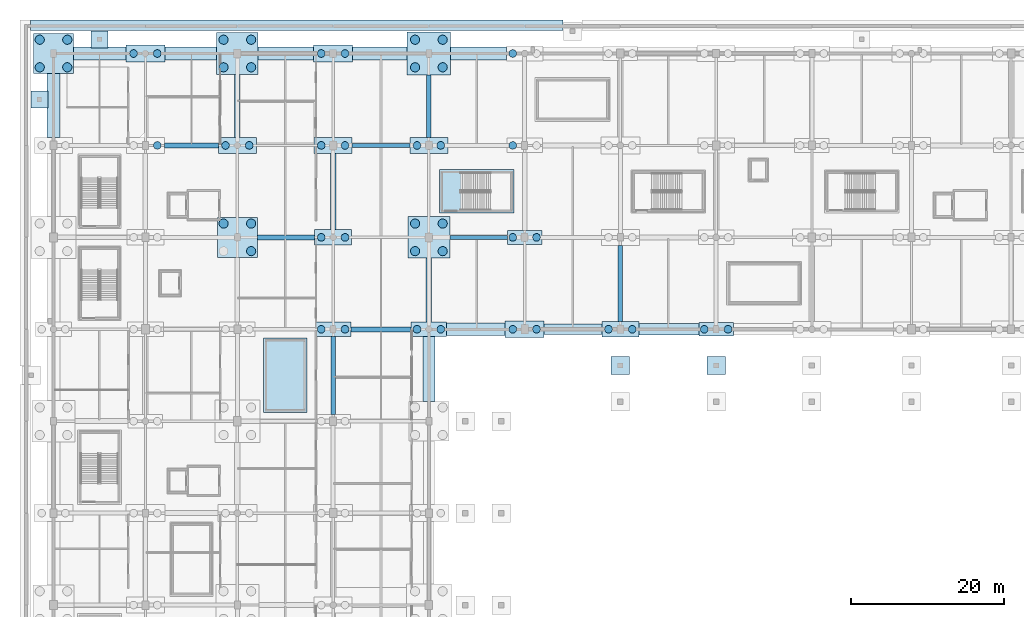
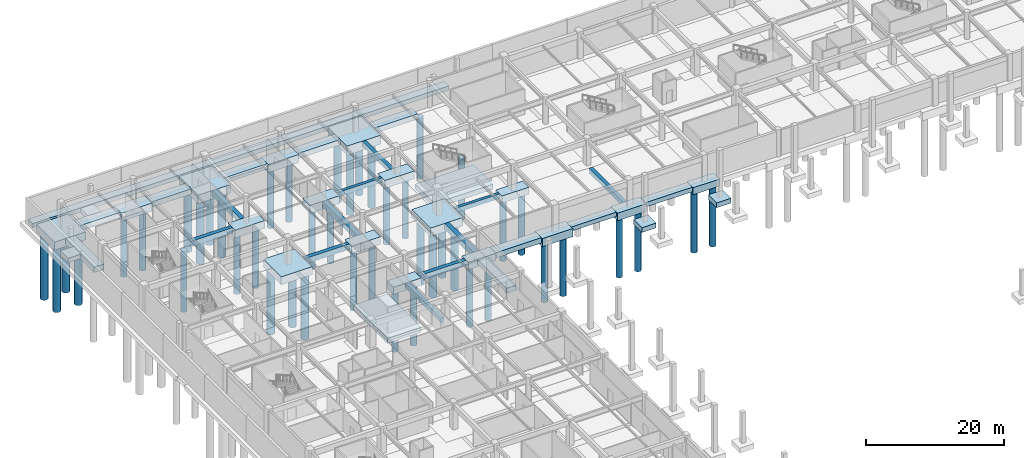
# One storey, part 8 of 56: 46 piles, 45 footings.
"""IFC4 building model written with IfcOpenShell, lengths in metres."""

from ifc_helpers import new_model, si_unit, direction, frame, origin, origin_2d, place, context, subcontext, project, spatial, polyline, rectangle, circle, outline, extrude, material, material_profile, profile_set, type_object, element, save


model = new_model("IFC4")

# Units and contexts
model_context = context("Model", 3, precision=1e-05, world=origin(), true_north=direction((0.0, 1.0)))
body_context = subcontext(model_context, "Body", "Model", "MODEL_VIEW")
ifc_project = project(units=[si_unit("LENGTHUNIT", "METRE"), si_unit("AREAUNIT", "SQUARE_METRE"), si_unit("VOLUMEUNIT", "CUBIC_METRE"), si_unit("PLANEANGLEUNIT", "RADIAN"), si_unit("MASSUNIT", "GRAM", prefix="KILO")], contexts=[model_context])

# Site, building, storey
site_placement = place(None, origin())
site = spatial("IfcSite", under=ifc_project, at=site_placement, CompositionType="ELEMENT")
building_placement = place(site_placement, origin())
building = spatial("IfcBuilding", under=site, at=building_placement, Name="Kazenohara Klinker Stadium", CompositionType="ELEMENT")
storey_placement = place(building_placement, frame((0.0, 0.0, -4.800048828125)))
storey = spatial("IfcBuildingStorey", under=building, at=storey_placement, Name="B01", CompositionType="ELEMENT", Elevation=-4.800048828125)

# Footings
ifc_material = material(Name="Concrete C35/45", Category="concrete")
footing_type_1 = type_object("IfcFootingType", Name="CAP-PC01", PredefinedType="PILE_CAP", material=ifc_material)
for number, where, z_axis, x_axis, name in (
    (1, (61.5, 144.0, -1.25), (0.0, 0.0, 1.0), (1.0, 0.0, 0.0), "Pile cap PC01 at 6/N"),
    (2, (86.5, 132.0, -1.25), (0.0, 0.0, 1.0), (1.0, 0.0, 0.0), "Pile cap PC01 at 8/M"),
):
    element("IfcFooting", number, at=place(storey_placement, frame(where, z_axis=z_axis, x_axis=x_axis)), inside=storey, type_object=footing_type_1, Name=name, PredefinedType="PILE_CAP", context=body_context, shape_type="SweptSolid", body=[
        extrude(rectangle(XDim=4.5, YDim=1.800048828125, at=origin_2d()), origin(), (0.0, 0.0, 1.0), 1.25),
    ])
footing_type_2 = type_object("IfcFootingType", Name="CAP-PC02", PredefinedType="PILE_CAP", material=ifc_material)
for number, where, z_axis, x_axis, name in (
    (3, (36.5, 132.0, -1.2998046875), (0.0, 0.0, 1.0), (1.0, 0.0, 0.0), "Pile cap PC02 at 4/M"),
    (4, (49.0, 132.0, -1.2998046875), (0.0, 0.0, 1.0), (1.0, 0.0, 0.0), "Pile cap PC02 at 5/M"),
):
    element("IfcFooting", number, at=place(storey_placement, frame(where, z_axis=z_axis, x_axis=x_axis)), inside=storey, type_object=footing_type_2, Name=name, PredefinedType="PILE_CAP", context=body_context, shape_type="SweptSolid", body=[
        extrude(rectangle(XDim=4.64990234375, YDim=1.89990234375, at=origin_2d()), origin(), (0.0, 0.0, 1.0), 1.300048828125),
    ])
footing_type_3 = type_object("IfcFootingType", Name="CAP-PC03", PredefinedType="PILE_CAP", material=ifc_material)
for number, where, z_axis, x_axis, name in (
    (5, (36.5, 144.0, -1.35009765625), (0.0, 0.0, 1.0), (1.0, 0.0, 0.0), "Pile cap PC03 at 4/N"),
    (6, (74.0, 132.0, -1.35009765625), (0.0, 0.0, 1.0), (1.0, 0.0, 0.0), "Pile cap PC03 at 7/M"),
):
    element("IfcFooting", number, at=place(storey_placement, frame(where, z_axis=z_axis, x_axis=x_axis)), inside=storey, type_object=footing_type_3, Name=name, PredefinedType="PILE_CAP", context=body_context, shape_type="SweptSolid", body=[
        extrude(rectangle(XDim=4.800048828125, YDim=2.0, at=origin_2d()), origin(), (0.0, 0.0, 1.0), 1.35009765625),
    ])
footing_type_4 = type_object("IfcFootingType", Name="CAP-PC04", PredefinedType="PILE_CAP", material=ifc_material)
for number, where, z_axis, x_axis, name in (
    (7, (24.0, 156.0, -1.39990234375), (0.0, 0.0, 1.0), (1.0, 0.0, 0.0), "Pile cap PC04 at 3/P"),
    (8, (36.5, 156.0, -1.39990234375), (0.0, 0.0, 1.0), (1.0, 0.0, 0.0), "Pile cap PC04 at 4/P"),
    (9, (49.0, 156.0, -1.39990234375), (0.0, 0.0, 1.0), (1.0, 0.0, 0.0), "Pile cap PC04 at 5/P"),
):
    element("IfcFooting", number, at=place(storey_placement, frame(where, z_axis=z_axis, x_axis=x_axis)), inside=storey, type_object=footing_type_4, Name=name, PredefinedType="PILE_CAP", context=body_context, shape_type="SweptSolid", body=[
        extrude(rectangle(XDim=4.949951171875, YDim=2.10009765625, at=origin_2d()), origin(), (0.0, 0.0, 1.0), 1.39990234375),
    ])
footing_type_5 = type_object("IfcFootingType", Name="CAP-PC05", PredefinedType="PILE_CAP", material=ifc_material)
for number, where, z_axis, x_axis, name in (
    (10, (12.0, 168.0, -1.44970703125), (0.0, 0.0, 1.0), (1.0, 0.0, 0.0), "Pile cap PC05 at 2/Q"),
    (11, (36.5, 168.0, -1.44970703125), (0.0, 0.0, 1.0), (1.0, 0.0, 0.0), "Pile cap PC05 at 4/Q"),
    (12, (61.5, 132.0, -1.44970703125), (0.0, 0.0, 1.0), (1.0, 0.0, 0.0), "Pile cap PC05 at 6/M"),
):
    element("IfcFooting", number, at=place(storey_placement, frame(where, z_axis=z_axis, x_axis=x_axis)), inside=storey, type_object=footing_type_5, Name=name, PredefinedType="PILE_CAP", context=body_context, shape_type="SweptSolid", body=[
        extrude(rectangle(XDim=5.10009765625, YDim=2.199951171875, at=origin_2d()), origin(), (0.0, 0.0, 1.0), 1.449951171875),
    ])
footing_type_6 = type_object("IfcFootingType", Name="CAP-PC06", PredefinedType="PILE_CAP", material=ifc_material)
for number, where, z_axis, x_axis, name in (
    (13, (0.0, 168.0, -1.39990234375), (0.0, 0.0, 1.0), (1.0, 0.0, 0.0), "Pile cap PC06 at 1/Q"),
    (14, (24.0, 144.0, -1.39990234375), (0.0, 0.0, 1.0), (1.0, 0.0, 0.0), "Pile cap PC06 at 3/N"),
):
    element("IfcFooting", number, at=place(storey_placement, frame(where, z_axis=z_axis, x_axis=x_axis)), inside=storey, type_object=footing_type_6, Name=name, PredefinedType="PILE_CAP", context=body_context, shape_type="SweptSolid", body=[
        extrude(rectangle(XDim=5.199951171875, YDim=5.199951171875, at=origin_2d()), origin(), (0.0, 0.0, 1.0), 1.39990234375),
    ])
footing_type_7 = type_object("IfcFootingType", Name="CAP-PC08", PredefinedType="PILE_CAP", material=ifc_material)
for number, where, z_axis, x_axis, name in (
    (15, (24.0, 168.0, -1.5), (0.0, 0.0, 1.0), (1.0, 0.0, 0.0), "Pile cap PC08 at 3/Q"),
    (16, (49.0, 144.0, -1.5), (0.0, 0.0, 1.0), (1.0, 0.0, 0.0), "Pile cap PC08 at 5/N"),
):
    element("IfcFooting", number, at=place(storey_placement, frame(where, z_axis=z_axis, x_axis=x_axis)), inside=storey, type_object=footing_type_7, Name=name, PredefinedType="PILE_CAP", context=body_context, shape_type="SweptSolid", body=[
        extrude(rectangle(XDim=5.449951171875, YDim=5.449951171875, at=origin_2d()), origin(), (0.0, 0.0, 1.0), 1.5),
    ])
footing_type_8 = type_object("IfcFootingType", Name="CAP-PC10", PredefinedType="PILE_CAP", material=ifc_material)
footing_1_placement = place(storey_placement, frame((49.0, 168.0, -1.60009765625), z_axis=(0.0, 0.0, 1.0), x_axis=(1.0, 0.0, 0.0)))
element("IfcFooting", 17, at=footing_1_placement, inside=storey, type_object=footing_type_8, Name="Pile cap PC10 at 5/Q", PredefinedType="PILE_CAP", context=body_context, shape_type="SweptSolid", body=[
    extrude(rectangle(XDim=5.699951171875, YDim=5.60009765625, at=origin_2d()), origin(), (0.0, 0.0, 1.0), 1.60009765625),
])
footing_type_9 = type_object("IfcFootingType", Name="GBEAM-GB01", PredefinedType="FOOTING_BEAM", material=ifc_material)
footing_2_placement = place(storey_placement, frame((0.0, 0.0, -0.800048828125)))
element("IfcFooting", 18, at=footing_2_placement, inside=storey, type_object=footing_type_9, Name="Foundation tie beam GB01 4-5/P", PredefinedType="FOOTING_BEAM", context=body_context, shape_type="SweptSolid", body=[
    extrude(outline(polyline([(38.97509765625, 155.75), (46.52490234375, 155.75), (46.52490234375, 156.25), (38.97509765625, 156.25), (38.97509765625, 155.75)])), origin(), (0.0, 0.0, 1.0), 0.800048828125),
])
footing_3_placement = place(storey_placement, frame((0.0, 0.0, -0.800048828125)))
element("IfcFooting", 19, at=footing_3_placement, inside=storey, type_object=footing_type_9, Name="Foundation tie beam GB01 5-6/N", PredefinedType="FOOTING_BEAM", context=body_context, shape_type="SweptSolid", body=[
    extrude(outline(polyline([(51.72509765625, 143.75), (59.25, 143.75), (59.25, 144.25), (51.72509765625, 144.25), (51.72509765625, 143.75)])), origin(), (0.0, 0.0, 1.0), 0.800048828125),
])
footing_type_10 = type_object("IfcFootingType", Name="GBEAM-GB02", PredefinedType="FOOTING_BEAM", material=ifc_material)
footing_4_placement = place(storey_placement, frame((0.0, 0.0, -0.8798828125)))
element("IfcFooting", 20, at=footing_4_placement, inside=storey, type_object=footing_type_10, Name="Foundation tie beam GB02 4/L-M", PredefinedType="FOOTING_BEAM", context=body_context, shape_type="SweptSolid", body=[
    extrude(outline(polyline([(36.2099609375, 120.89990234375), (36.7900390625, 120.89990234375), (36.7900390625, 131.050048828125), (36.2099609375, 131.050048828125), (36.2099609375, 120.89990234375)])), origin(), (0.0, 0.0, 1.0), 0.8798828125),
])
footing_5_placement = place(storey_placement, frame((0.0, 0.0, -0.8798828125)))
element("IfcFooting", 21, at=footing_5_placement, inside=storey, type_object=footing_type_10, Name="Foundation tie beam GB02 5/P-Q", PredefinedType="FOOTING_BEAM", context=body_context, shape_type="SweptSolid", body=[
    extrude(outline(polyline([(48.7099609375, 157.050048828125), (49.2900390625, 157.050048828125), (49.2900390625, 165.199951171875), (48.7099609375, 165.199951171875), (48.7099609375, 157.050048828125)])), origin(), (0.0, 0.0, 1.0), 0.8798828125),
])
footing_6_placement = place(storey_placement, frame((0.0, 0.0, -0.8798828125)))
element("IfcFooting", 22, at=footing_6_placement, inside=storey, type_object=footing_type_10, Name="Foundation tie beam GB02 7/M-N", PredefinedType="FOOTING_BEAM", context=body_context, shape_type="SweptSolid", body=[
    extrude(outline(polyline([(73.7099609375, 133.0), (74.2900390625, 133.0), (74.2900390625, 142.949951171875), (73.7099609375, 142.949951171875), (73.7099609375, 133.0)])), origin(), (0.0, 0.0, 1.0), 0.8798828125),
])
footing_type_11 = type_object("IfcFootingType", Name="GBEAM-GB03", PredefinedType="FOOTING_BEAM", material=ifc_material)
footing_7_placement = place(storey_placement, frame((0.0, 0.0, -0.9599609375)))
element("IfcFooting", 23, at=footing_7_placement, inside=storey, type_object=footing_type_11, Name="Foundation tie beam GB03 2-3/P", PredefinedType="FOOTING_BEAM", context=body_context, shape_type="SweptSolid", body=[
    extrude(outline(polyline([(14.47509765625, 155.675048828125), (21.52490234375, 155.675048828125), (21.52490234375, 156.324951171875), (14.47509765625, 156.324951171875), (14.47509765625, 155.675048828125)])), origin(), (0.0, 0.0, 1.0), 0.9599609375),
])
footing_8_placement = place(storey_placement, frame((0.0, 0.0, -0.9599609375)))
element("IfcFooting", 24, at=footing_8_placement, inside=storey, type_object=footing_type_11, Name="Foundation tie beam GB03 3-4/N", PredefinedType="FOOTING_BEAM", context=body_context, shape_type="SweptSolid", body=[
    extrude(outline(polyline([(26.60009765625, 143.675048828125), (34.10009765625, 143.675048828125), (34.10009765625, 144.324951171875), (26.60009765625, 144.324951171875), (26.60009765625, 143.675048828125)])), origin(), (0.0, 0.0, 1.0), 0.9599609375),
])
footing_9_placement = place(storey_placement, frame((0.0, 0.0, -0.9599609375)))
element("IfcFooting", 25, at=footing_9_placement, inside=storey, type_object=footing_type_11, Name="Foundation tie beam GB03 4-5/M", PredefinedType="FOOTING_BEAM", context=body_context, shape_type="SweptSolid", body=[
    extrude(outline(polyline([(38.824951171875, 131.675048828125), (46.675048828125, 131.675048828125), (46.675048828125, 132.324951171875), (38.824951171875, 132.324951171875), (38.824951171875, 131.675048828125)])), origin(), (0.0, 0.0, 1.0), 0.9599609375),
])
footing_type_12 = type_object("IfcFootingType", Name="GBEAM-GB04", PredefinedType="FOOTING_BEAM", material=ifc_material)
footing_10_placement = place(storey_placement, frame((0.0, 0.0, -1.050048828125)))
element("IfcFooting", 26, at=footing_10_placement, inside=storey, type_object=footing_type_12, Name="Foundation tie beam GB04 3/P-Q", PredefinedType="FOOTING_BEAM", context=body_context, shape_type="SweptSolid", body=[
    extrude(outline(polyline([(23.639892578125, 157.050048828125), (24.360107421875, 157.050048828125), (24.360107421875, 165.27490234375), (23.639892578125, 165.27490234375), (23.639892578125, 157.050048828125)])), origin(), (0.0, 0.0, 1.0), 1.050048828125),
])
footing_11_placement = place(storey_placement, frame((0.0, 0.0, -1.050048828125)))
element("IfcFooting", 27, at=footing_11_placement, inside=storey, type_object=footing_type_12, Name="Foundation tie beam GB04 4/N-P", PredefinedType="FOOTING_BEAM", context=body_context, shape_type="SweptSolid", body=[
    extrude(outline(polyline([(36.139892578125, 145.0), (36.860107421875, 145.0), (36.860107421875, 154.949951171875), (36.139892578125, 154.949951171875), (36.139892578125, 145.0)])), origin(), (0.0, 0.0, 1.0), 1.050048828125),
])
footing_12_placement = place(storey_placement, frame((0.0, 0.0, -1.050048828125)))
element("IfcFooting", 28, at=footing_12_placement, inside=storey, type_object=footing_type_12, Name="Foundation tie beam GB04 5/M-N", PredefinedType="FOOTING_BEAM", context=body_context, shape_type="SweptSolid", body=[
    extrude(outline(polyline([(48.639892578125, 132.949951171875), (49.360107421875, 132.949951171875), (49.360107421875, 141.27490234375), (48.639892578125, 141.27490234375), (48.639892578125, 132.949951171875)])), origin(), (0.0, 0.0, 1.0), 1.050048828125),
])
footing_type_13 = type_object("IfcFootingType", Name="PAD-PF01", PredefinedType="PAD_FOOTING", material=ifc_material)
for number, where, z_axis, x_axis, name in (
    (29, (-1.85009765625, 162.0, -0.7998046875), (0.0, 0.0, 1.0), (1.0, 0.0, 0.0), "Exterior plinth support pad PF01 PLAZA-WEST-3"),
    (30, (6.0, 169.85009765625, -0.7998046875), (0.0, 0.0, 1.0), (1.0, 0.0, 0.0), "Exterior plinth support pad PF01 PLAZA-NORTH-1"),
):
    element("IfcFooting", number, at=place(storey_placement, frame(where, z_axis=z_axis, x_axis=x_axis)), inside=storey, type_object=footing_type_13, Name=name, PredefinedType="PAD_FOOTING", context=body_context, shape_type="SweptSolid", body=[
        extrude(rectangle(XDim=2.199951171875, YDim=2.199951171875, at=origin_2d()), origin(), (0.0, 0.0, 1.0), 0.800048828125),
    ])
footing_type_14 = type_object("IfcFootingType", Name="PAD-PF02", PredefinedType="PAD_FOOTING", material=ifc_material)
for number, where, z_axis, x_axis, name in (
    (31, (74.0, 127.27490234375, -0.85009765625), (0.0, 0.0, 1.0), (1.0, 0.0, 0.0), "Bowl mid-raker pad PF02 N-7"),
    (32, (86.5, 127.27490234375, -0.85009765625), (0.0, 0.0, 1.0), (1.0, 0.0, 0.0), "Bowl mid-raker pad PF02 N-8"),
):
    element("IfcFooting", number, at=place(storey_placement, frame(where, z_axis=z_axis, x_axis=x_axis)), inside=storey, type_object=footing_type_14, Name=name, PredefinedType="PAD_FOOTING", context=body_context, shape_type="SweptSolid", body=[
        extrude(rectangle(XDim=2.39990234375, YDim=2.39990234375, at=origin_2d()), origin(), (0.0, 0.0, 1.0), 0.85009765625),
    ])
footing_type_15 = type_object("IfcFootingType", Name="PAD-PF04", PredefinedType="PAD_FOOTING", material=ifc_material)
footing_13_placement = place(storey_placement, frame((0.0, 0.0, -1.550048828125)))
element("IfcFooting", 33, at=footing_13_placement, inside=storey, type_object=footing_type_15, Name="Stairwell core foundation raft ST08", PredefinedType="PAD_FOOTING", context=body_context, shape_type="SweptSolid", body=[
    extrude(outline(polyline([(50.385009765625, 147.155029296875), (60.114990234375, 147.155029296875), (60.114990234375, 152.844970703125), (50.385009765625, 152.844970703125), (50.385009765625, 147.155029296875)])), origin(), (0.0, 0.0, 1.0), 0.900146484375),
])
footing_14_placement = place(storey_placement, frame((0.0, 0.0, -1.550048828125)))
element("IfcFooting", 34, at=footing_14_placement, inside=storey, type_object=footing_type_15, Name="Stairwell core foundation raft ST18", PredefinedType="PAD_FOOTING", context=body_context, shape_type="SweptSolid", body=[
    extrude(outline(polyline([(27.43505859375, 121.135009765625), (33.06494140625, 121.135009765625), (33.06494140625, 130.864990234375), (27.43505859375, 130.864990234375), (27.43505859375, 121.135009765625)])), origin(), (0.0, 0.0, 1.0), 0.900146484375),
])

# Piles
ifc_material_profile_1 = material_profile(ifc_material, circle(Radius=0.5, at=origin_2d()), Name="BORED-PILE-1000")
ifc_profile_set_1 = profile_set([ifc_material_profile_1], Name="Concrete C35/45")
pile_type_1 = type_object("IfcPileType", Name="PILE-P01-1000", PredefinedType="BORED", material=ifc_profile_set_1)
pile_1_placement = place(storey_placement, frame((13.550048828125, 156.0, -1.300048828125), z_axis=(0.0, 0.0, -1.0), x_axis=(1.0, 0.0, 0.0)))
element("IfcPile", 35, at=pile_1_placement, inside=storey, type_object=pile_type_1, Name="Bored pile P01-0113-2", PredefinedType="BORED", context=body_context, shape_type="SweptSolid", body=[
    extrude(circle(Radius=0.5, at=origin_2d()), origin(), (0.0, 0.0, 1.0), 10.699951171875),
])
for number, where, z_axis, x_axis, name in (
    (36, (10.449951171875, 168.0, -1.349853515625), (0.0, 0.0, -1.0), (1.0, 0.0, 0.0), "Bored pile P01-0114-1"),
    (37, (13.550048828125, 168.0, -1.349853515625), (0.0, 0.0, -1.0), (1.0, 0.0, 0.0), "Bored pile P01-0114-2"),
):
    element("IfcPile", number, at=place(storey_placement, frame(where, z_axis=z_axis, x_axis=x_axis)), inside=storey, type_object=pile_type_1, Name=name, PredefinedType="BORED", context=body_context, shape_type="SweptSolid", body=[
        extrude(circle(Radius=0.5, at=origin_2d()), origin(), (0.0, 0.0, 1.0), 10.64990234375),
    ])
for number, where, z_axis, x_axis, name in (
    (38, (22.449951171875, 156.0, -1.300048828125), (0.0, 0.0, -1.0), (1.0, 0.0, 0.0), "Bored pile P01-0213-1"),
    (39, (25.550048828125, 156.0, -1.300048828125), (0.0, 0.0, -1.0), (1.0, 0.0, 0.0), "Bored pile P01-0213-2"),
):
    element("IfcPile", number, at=place(storey_placement, frame(where, z_axis=z_axis, x_axis=x_axis)), inside=storey, type_object=pile_type_1, Name=name, PredefinedType="BORED", context=body_context, shape_type="SweptSolid", body=[
        extrude(circle(Radius=0.5, at=origin_2d()), origin(), (0.0, 0.0, 1.0), 10.699951171875),
    ])
for number, where, z_axis, x_axis, name in (
    (40, (34.949951171875, 132.0, -1.199951171875), (0.0, 0.0, -1.0), (1.0, 0.0, 0.0), "Bored pile P01-0311-1"),
    (41, (38.050048828125, 132.0, -1.199951171875), (0.0, 0.0, -1.0), (1.0, 0.0, 0.0), "Bored pile P01-0311-2"),
):
    element("IfcPile", number, at=place(storey_placement, frame(where, z_axis=z_axis, x_axis=x_axis)), inside=storey, type_object=pile_type_1, Name=name, PredefinedType="BORED", context=body_context, shape_type="SweptSolid", body=[
        extrude(circle(Radius=0.5, at=origin_2d()), origin(), (0.0, 0.0, 1.0), 10.800048828125),
    ])
for number, where, z_axis, x_axis, name in (
    (42, (34.949951171875, 144.0, -1.25), (0.0, 0.0, -1.0), (1.0, 0.0, 0.0), "Bored pile P01-0312-1"),
    (43, (38.050048828125, 144.0, -1.25), (0.0, 0.0, -1.0), (1.0, 0.0, 0.0), "Bored pile P01-0312-2"),
):
    element("IfcPile", number, at=place(storey_placement, frame(where, z_axis=z_axis, x_axis=x_axis)), inside=storey, type_object=pile_type_1, Name=name, PredefinedType="BORED", context=body_context, shape_type="SweptSolid", body=[
        extrude(circle(Radius=0.5, at=origin_2d()), origin(), (0.0, 0.0, 1.0), 10.75),
    ])
for number, where, z_axis, x_axis, name in (
    (44, (34.949951171875, 156.0, -1.300048828125), (0.0, 0.0, -1.0), (1.0, 0.0, 0.0), "Bored pile P01-0313-1"),
    (45, (38.050048828125, 156.0, -1.300048828125), (0.0, 0.0, -1.0), (1.0, 0.0, 0.0), "Bored pile P01-0313-2"),
):
    element("IfcPile", number, at=place(storey_placement, frame(where, z_axis=z_axis, x_axis=x_axis)), inside=storey, type_object=pile_type_1, Name=name, PredefinedType="BORED", context=body_context, shape_type="SweptSolid", body=[
        extrude(circle(Radius=0.5, at=origin_2d()), origin(), (0.0, 0.0, 1.0), 10.699951171875),
    ])
for number, where, z_axis, x_axis, name in (
    (46, (34.949951171875, 168.0, -1.349853515625), (0.0, 0.0, -1.0), (1.0, 0.0, 0.0), "Bored pile P01-0314-1"),
    (47, (38.050048828125, 168.0, -1.349853515625), (0.0, 0.0, -1.0), (1.0, 0.0, 0.0), "Bored pile P01-0314-2"),
):
    element("IfcPile", number, at=place(storey_placement, frame(where, z_axis=z_axis, x_axis=x_axis)), inside=storey, type_object=pile_type_1, Name=name, PredefinedType="BORED", context=body_context, shape_type="SweptSolid", body=[
        extrude(circle(Radius=0.5, at=origin_2d()), origin(), (0.0, 0.0, 1.0), 10.64990234375),
    ])
for number, where, z_axis, x_axis, name in (
    (48, (47.449951171875, 132.0, -1.199951171875), (0.0, 0.0, -1.0), (1.0, 0.0, 0.0), "Bored pile P01-0411-1"),
    (49, (50.550048828125, 132.0, -1.199951171875), (0.0, 0.0, -1.0), (1.0, 0.0, 0.0), "Bored pile P01-0411-2"),
):
    element("IfcPile", number, at=place(storey_placement, frame(where, z_axis=z_axis, x_axis=x_axis)), inside=storey, type_object=pile_type_1, Name=name, PredefinedType="BORED", context=body_context, shape_type="SweptSolid", body=[
        extrude(circle(Radius=0.5, at=origin_2d()), origin(), (0.0, 0.0, 1.0), 10.800048828125),
    ])
for number, where, z_axis, x_axis, name in (
    (50, (47.449951171875, 156.0, -1.300048828125), (0.0, 0.0, -1.0), (1.0, 0.0, 0.0), "Bored pile P01-0413-1"),
    (51, (50.550048828125, 156.0, -1.300048828125), (0.0, 0.0, -1.0), (1.0, 0.0, 0.0), "Bored pile P01-0413-2"),
):
    element("IfcPile", number, at=place(storey_placement, frame(where, z_axis=z_axis, x_axis=x_axis)), inside=storey, type_object=pile_type_1, Name=name, PredefinedType="BORED", context=body_context, shape_type="SweptSolid", body=[
        extrude(circle(Radius=0.5, at=origin_2d()), origin(), (0.0, 0.0, 1.0), 10.699951171875),
    ])
for number, where, z_axis, x_axis, name in (
    (52, (59.949951171875, 132.0, -1.349853515625), (0.0, 0.0, -1.0), (1.0, 0.0, 0.0), "Bored pile P01-0511-1"),
    (53, (63.050048828125, 132.0, -1.349853515625), (0.0, 0.0, -1.0), (1.0, 0.0, 0.0), "Bored pile P01-0511-2"),
):
    element("IfcPile", number, at=place(storey_placement, frame(where, z_axis=z_axis, x_axis=x_axis)), inside=storey, type_object=pile_type_1, Name=name, PredefinedType="BORED", context=body_context, shape_type="SweptSolid", body=[
        extrude(circle(Radius=0.5, at=origin_2d()), origin(), (0.0, 0.0, 1.0), 10.64990234375),
    ])
for number, where, z_axis, x_axis, name in (
    (54, (59.949951171875, 144.0, -1.14990234375), (0.0, 0.0, -1.0), (1.0, 0.0, 0.0), "Bored pile P01-0512-1"),
    (55, (63.050048828125, 144.0, -1.14990234375), (0.0, 0.0, -1.0), (1.0, 0.0, 0.0), "Bored pile P01-0512-2"),
):
    element("IfcPile", number, at=place(storey_placement, frame(where, z_axis=z_axis, x_axis=x_axis)), inside=storey, type_object=pile_type_1, Name=name, PredefinedType="BORED", context=body_context, shape_type="SweptSolid", body=[
        extrude(circle(Radius=0.5, at=origin_2d()), origin(), (0.0, 0.0, 1.0), 10.85009765625),
    ])
pile_2_placement = place(storey_placement, frame((59.949951171875, 156.0, -1.199951171875), z_axis=(0.0, 0.0, -1.0), x_axis=(1.0, 0.0, 0.0)))
element("IfcPile", 56, at=pile_2_placement, inside=storey, type_object=pile_type_1, Name="Bored pile P01-0513-1", PredefinedType="BORED", context=body_context, shape_type="SweptSolid", body=[
    extrude(circle(Radius=0.5, at=origin_2d()), origin(), (0.0, 0.0, 1.0), 10.800048828125),
])
for number, where, z_axis, x_axis, name in (
    (57, (59.949951171875, 168.0, -1.25), (0.0, 0.0, -1.0), (1.0, 0.0, 0.0), "Bored pile P01-0514-1"),
    (58, (72.449951171875, 132.0, -1.25), (0.0, 0.0, -1.0), (1.0, 0.0, 0.0), "Bored pile P01-0611-1"),
    (59, (75.550048828125, 132.0, -1.25), (0.0, 0.0, -1.0), (1.0, 0.0, 0.0), "Bored pile P01-0611-2"),
):
    element("IfcPile", number, at=place(storey_placement, frame(where, z_axis=z_axis, x_axis=x_axis)), inside=storey, type_object=pile_type_1, Name=name, PredefinedType="BORED", context=body_context, shape_type="SweptSolid", body=[
        extrude(circle(Radius=0.5, at=origin_2d()), origin(), (0.0, 0.0, 1.0), 10.75),
    ])
for number, where, z_axis, x_axis, name in (
    (60, (84.949951171875, 132.0, -1.14990234375), (0.0, 0.0, -1.0), (1.0, 0.0, 0.0), "Bored pile P01-0711-1"),
    (61, (88.050048828125, 132.0, -1.14990234375), (0.0, 0.0, -1.0), (1.0, 0.0, 0.0), "Bored pile P01-0711-2"),
):
    element("IfcPile", number, at=place(storey_placement, frame(where, z_axis=z_axis, x_axis=x_axis)), inside=storey, type_object=pile_type_1, Name=name, PredefinedType="BORED", context=body_context, shape_type="SweptSolid", body=[
        extrude(circle(Radius=0.5, at=origin_2d()), origin(), (0.0, 0.0, 1.0), 10.85009765625),
    ])
ifc_material_profile_2 = material_profile(ifc_material, circle(Radius=0.60009765625, at=origin_2d()), Name="BORED-PILE-1200")
ifc_profile_set_2 = profile_set([ifc_material_profile_2], Name="Concrete C35/45")
pile_type_2 = type_object("IfcPileType", Name="PILE-P02-1200", PredefinedType="BORED", material=ifc_profile_set_2)
for number, where, z_axis, x_axis, name in (
    (62, (-1.800048828125, 166.199951171875, -1.300048828125), (0.0, 0.0, -1.0), (1.0, 0.0, 0.0), "Bored pile P02-0014-1"),
    (63, (1.800048828125, 166.199951171875, -1.300048828125), (0.0, 0.0, -1.0), (1.0, 0.0, 0.0), "Bored pile P02-0014-2"),
    (64, (-1.800048828125, 169.800048828125, -1.300048828125), (0.0, 0.0, -1.0), (1.0, 0.0, 0.0), "Bored pile P02-0014-3"),
    (65, (1.800048828125, 169.800048828125, -1.300048828125), (0.0, 0.0, -1.0), (1.0, 0.0, 0.0), "Bored pile P02-0014-4"),
    (66, (25.800048828125, 142.199951171875, -1.300048828125), (0.0, 0.0, -1.0), (1.0, 0.0, 0.0), "Bored pile P02-0212-2"),
    (67, (22.199951171875, 145.800048828125, -1.300048828125), (0.0, 0.0, -1.0), (1.0, 0.0, 0.0), "Bored pile P02-0212-3"),
    (68, (25.800048828125, 145.800048828125, -1.300048828125), (0.0, 0.0, -1.0), (1.0, 0.0, 0.0), "Bored pile P02-0212-4"),
):
    element("IfcPile", number, at=place(storey_placement, frame(where, z_axis=z_axis, x_axis=x_axis)), inside=storey, type_object=pile_type_2, Name=name, PredefinedType="BORED", context=body_context, shape_type="SweptSolid", body=[
        extrude(circle(Radius=0.60009765625, at=origin_2d()), origin(), (0.0, 0.0, 1.0), 11.5),
    ])
for number, where, z_axis, x_axis, name in (
    (69, (22.199951171875, 166.199951171875, -1.39990234375), (0.0, 0.0, -1.0), (1.0, 0.0, 0.0), "Bored pile P02-0214-1"),
    (70, (25.800048828125, 166.199951171875, -1.39990234375), (0.0, 0.0, -1.0), (1.0, 0.0, 0.0), "Bored pile P02-0214-2"),
    (71, (22.199951171875, 169.800048828125, -1.39990234375), (0.0, 0.0, -1.0), (1.0, 0.0, 0.0), "Bored pile P02-0214-3"),
    (72, (25.800048828125, 169.800048828125, -1.39990234375), (0.0, 0.0, -1.0), (1.0, 0.0, 0.0), "Bored pile P02-0214-4"),
    (73, (47.199951171875, 142.199951171875, -1.39990234375), (0.0, 0.0, -1.0), (1.0, 0.0, 0.0), "Bored pile P02-0412-1"),
    (74, (50.800048828125, 142.199951171875, -1.39990234375), (0.0, 0.0, -1.0), (1.0, 0.0, 0.0), "Bored pile P02-0412-2"),
    (75, (47.199951171875, 145.800048828125, -1.39990234375), (0.0, 0.0, -1.0), (1.0, 0.0, 0.0), "Bored pile P02-0412-3"),
    (76, (50.800048828125, 145.800048828125, -1.39990234375), (0.0, 0.0, -1.0), (1.0, 0.0, 0.0), "Bored pile P02-0412-4"),
):
    element("IfcPile", number, at=place(storey_placement, frame(where, z_axis=z_axis, x_axis=x_axis)), inside=storey, type_object=pile_type_2, Name=name, PredefinedType="BORED", context=body_context, shape_type="SweptSolid", body=[
        extrude(circle(Radius=0.60009765625, at=origin_2d()), origin(), (0.0, 0.0, 1.0), 11.39990234375),
    ])
for number, where, z_axis, x_axis, name in (
    (77, (47.199951171875, 166.199951171875, -1.5), (0.0, 0.0, -1.0), (1.0, 0.0, 0.0), "Bored pile P02-0414-1"),
    (78, (50.800048828125, 166.199951171875, -1.5), (0.0, 0.0, -1.0), (1.0, 0.0, 0.0), "Bored pile P02-0414-2"),
    (79, (47.199951171875, 169.800048828125, -1.5), (0.0, 0.0, -1.0), (1.0, 0.0, 0.0), "Bored pile P02-0414-3"),
    (80, (50.800048828125, 169.800048828125, -1.5), (0.0, 0.0, -1.0), (1.0, 0.0, 0.0), "Bored pile P02-0414-4"),
):
    element("IfcPile", number, at=place(storey_placement, frame(where, z_axis=z_axis, x_axis=x_axis)), inside=storey, type_object=pile_type_2, Name=name, PredefinedType="BORED", context=body_context, shape_type="SweptSolid", body=[
        extrude(circle(Radius=0.60009765625, at=origin_2d()), origin(), (0.0, 0.0, 1.0), 11.300048828125),
    ])

# Footings
footing_type_16 = type_object("IfcFootingType", Name="STRIP-SF01", PredefinedType="STRIP_FOOTING", material=ifc_material)
footing_15_placement = place(storey_placement, frame((0.0, 0.0, -0.75)))
element("IfcFooting", 81, at=footing_15_placement, inside=storey, type_object=footing_type_16, Name="Perimeter strip footing SF01 6-7/M", PredefinedType="STRIP_FOOTING", context=body_context, shape_type="SweptSolid", body=[
    extrude(outline(polyline([(64.050048828125, 131.324951171875), (71.60009765625, 131.324951171875), (71.60009765625, 132.675048828125), (64.050048828125, 132.675048828125), (64.050048828125, 131.324951171875)])), origin(), (0.0, 0.0, 1.0), 0.75),
])
footing_16_placement = place(storey_placement, frame((0.0, 0.0, -0.75)))
element("IfcFooting", 82, at=footing_16_placement, inside=storey, type_object=footing_type_16, Name="Street plinth strip footing SF01 North-01", PredefinedType="STRIP_FOOTING", context=body_context, shape_type="SweptSolid", body=[
    extrude(outline(polyline([(-3.0, 171.02490234375), (66.530029296875, 171.02490234375), (66.530029296875, 172.375), (-3.0, 172.375), (-3.0, 171.02490234375)])), origin(), (0.0, 0.0, 1.0), 0.75),
])
footing_type_17 = type_object("IfcFootingType", Name="STRIP-SF02", PredefinedType="STRIP_FOOTING", material=ifc_material)
footing_17_placement = place(storey_placement, frame((0.0, 0.0, -0.800048828125)))
element("IfcFooting", 83, at=footing_17_placement, inside=storey, type_object=footing_type_17, Name="Perimeter strip footing SF02 7-8/M", PredefinedType="STRIP_FOOTING", context=body_context, shape_type="SweptSolid", body=[
    extrude(outline(polyline([(76.39990234375, 131.27490234375), (84.25, 131.27490234375), (84.25, 132.72509765625), (76.39990234375, 132.72509765625), (76.39990234375, 131.27490234375)])), origin(), (0.0, 0.0, 1.0), 0.800048828125),
])
footing_type_18 = type_object("IfcFootingType", Name="STRIP-SF03", PredefinedType="STRIP_FOOTING", material=ifc_material)
footing_18_placement = place(storey_placement, frame((0.0, 0.0, -0.8798828125)))
element("IfcFooting", 84, at=footing_18_placement, inside=storey, type_object=footing_type_18, Name="Perimeter strip footing SF03 5/L-M", PredefinedType="STRIP_FOOTING", context=body_context, shape_type="SweptSolid", body=[
    extrude(outline(polyline([(48.22509765625, 122.60009765625), (49.77490234375, 122.60009765625), (49.77490234375, 131.050048828125), (48.22509765625, 131.050048828125), (48.22509765625, 122.60009765625)])), origin(), (0.0, 0.0, 1.0), 0.8798828125),
])
footing_type_19 = type_object("IfcFootingType", Name="STRIP-SF04", PredefinedType="STRIP_FOOTING", material=ifc_material)
footing_19_placement = place(storey_placement, frame((0.0, 0.0, -0.949951171875)))
element("IfcFooting", 85, at=footing_19_placement, inside=storey, type_object=footing_type_19, Name="Perimeter strip footing SF04 1-2/Q", PredefinedType="STRIP_FOOTING", context=body_context, shape_type="SweptSolid", body=[
    extrude(outline(polyline([(2.60009765625, 167.175048828125), (9.449951171875, 167.175048828125), (9.449951171875, 168.824951171875), (2.60009765625, 168.824951171875), (2.60009765625, 167.175048828125)])), origin(), (0.0, 0.0, 1.0), 0.949951171875),
])
footing_20_placement = place(storey_placement, frame((0.0, 0.0, -0.949951171875)))
element("IfcFooting", 86, at=footing_20_placement, inside=storey, type_object=footing_type_19, Name="Perimeter strip footing SF04 2-3/Q", PredefinedType="STRIP_FOOTING", context=body_context, shape_type="SweptSolid", body=[
    extrude(outline(polyline([(14.550048828125, 167.175048828125), (21.27490234375, 167.175048828125), (21.27490234375, 168.824951171875), (14.550048828125, 168.824951171875), (14.550048828125, 167.175048828125)])), origin(), (0.0, 0.0, 1.0), 0.949951171875),
])
footing_21_placement = place(storey_placement, frame((0.0, 0.0, -0.949951171875)))
element("IfcFooting", 87, at=footing_21_placement, inside=storey, type_object=footing_type_19, Name="Perimeter strip footing SF04 3-4/Q", PredefinedType="STRIP_FOOTING", context=body_context, shape_type="SweptSolid", body=[
    extrude(outline(polyline([(26.72509765625, 167.175048828125), (33.949951171875, 167.175048828125), (33.949951171875, 168.824951171875), (26.72509765625, 168.824951171875), (26.72509765625, 167.175048828125)])), origin(), (0.0, 0.0, 1.0), 0.949951171875),
])
footing_22_placement = place(storey_placement, frame((0.0, 0.0, -0.949951171875)))
element("IfcFooting", 88, at=footing_22_placement, inside=storey, type_object=footing_type_19, Name="Perimeter strip footing SF04 4-5/Q", PredefinedType="STRIP_FOOTING", context=body_context, shape_type="SweptSolid", body=[
    extrude(outline(polyline([(39.050048828125, 167.175048828125), (46.14990234375, 167.175048828125), (46.14990234375, 168.824951171875), (39.050048828125, 168.824951171875), (39.050048828125, 167.175048828125)])), origin(), (0.0, 0.0, 1.0), 0.949951171875),
])
footing_23_placement = place(storey_placement, frame((0.0, 0.0, -0.949951171875)))
element("IfcFooting", 89, at=footing_23_placement, inside=storey, type_object=footing_type_19, Name="Perimeter strip footing SF04 5-6/M", PredefinedType="STRIP_FOOTING", context=body_context, shape_type="SweptSolid", body=[
    extrude(outline(polyline([(51.324951171875, 131.175048828125), (58.949951171875, 131.175048828125), (58.949951171875, 132.824951171875), (51.324951171875, 132.824951171875), (51.324951171875, 131.175048828125)])), origin(), (0.0, 0.0, 1.0), 0.949951171875),
])
footing_24_placement = place(storey_placement, frame((0.0, 0.0, -0.949951171875)))
element("IfcFooting", 90, at=footing_24_placement, inside=storey, type_object=footing_type_19, Name="Perimeter strip footing SF04 5-6/Q", PredefinedType="STRIP_FOOTING", context=body_context, shape_type="SweptSolid", body=[
    extrude(outline(polyline([(51.85009765625, 167.175048828125), (59.10009765625, 167.175048828125), (59.10009765625, 168.824951171875), (51.85009765625, 168.824951171875), (51.85009765625, 167.175048828125)])), origin(), (0.0, 0.0, 1.0), 0.949951171875),
])
footing_25_placement = place(storey_placement, frame((0.0, 0.0, -0.949951171875)))
element("IfcFooting", 91, at=footing_25_placement, inside=storey, type_object=footing_type_19, Name="Perimeter strip footing SF04 1/P-Q", PredefinedType="STRIP_FOOTING", context=body_context, shape_type="SweptSolid", body=[
    extrude(outline(polyline([(-0.824951171875, 157.050048828125), (0.824951171875, 157.050048828125), (0.824951171875, 165.39990234375), (-0.824951171875, 165.39990234375), (-0.824951171875, 157.050048828125)])), origin(), (0.0, 0.0, 1.0), 0.949951171875),
])

save(model, "model.ifc")
